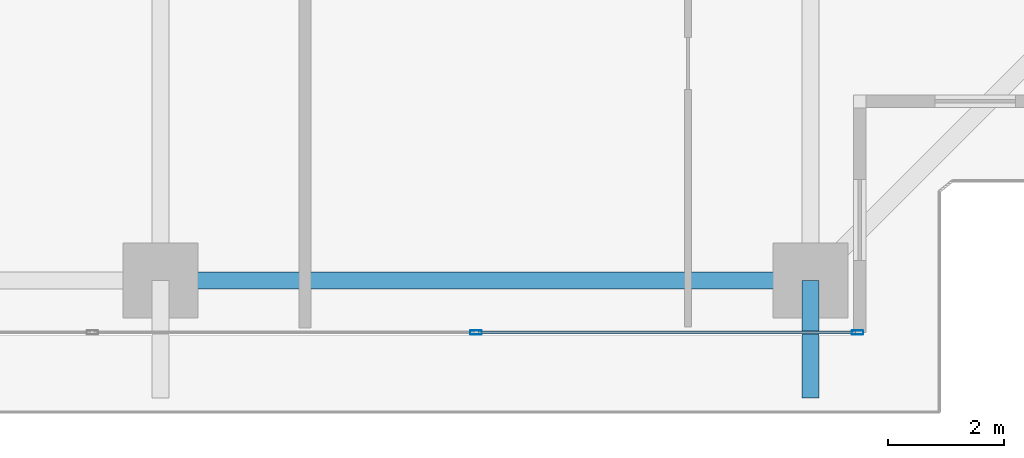
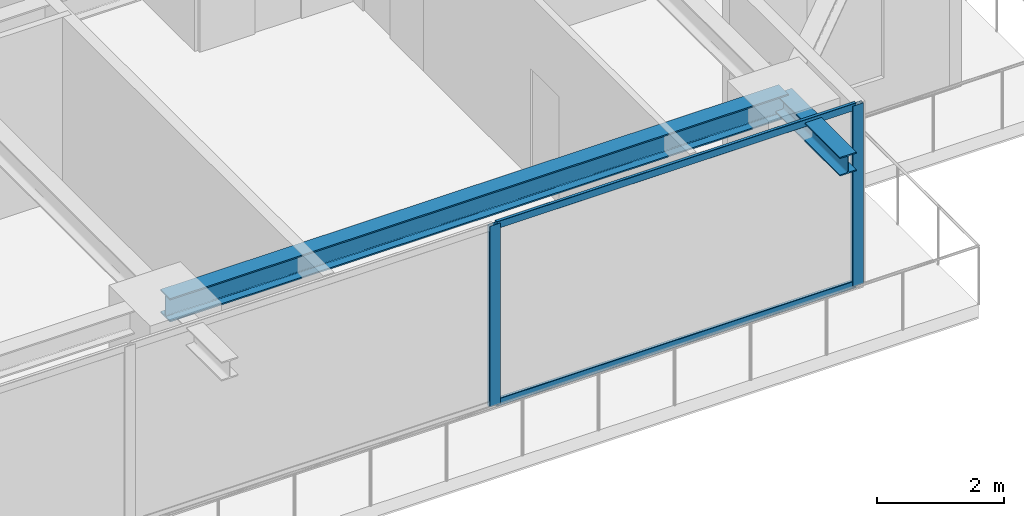
# One storey, part 9 of 33: 4 members, 2 beams, 1 element without a shape of its own.
"""IFC4 building model written with IfcOpenShell, lengths in metres."""

from ifc_helpers import new_model, si_unit, direction, frame, origin, origin_2d, place, context, subcontext, project, spatial, hollow_rectangle, i_section, extrude, source, transform, mapped, material, layer, layer_set, material_profile, profile_set, type_object, element, aggregate, save


model = new_model("IFC4")

# Units and contexts
model_context = context("Model", 3, precision=1e-05, world=origin(), true_north=direction((0.0, 1.0)))
body_context = subcontext(model_context, "Body", "Model", "MODEL_VIEW")
ifc_project = project(units=[si_unit("LENGTHUNIT", "METRE"), si_unit("AREAUNIT", "SQUARE_METRE"), si_unit("VOLUMEUNIT", "CUBIC_METRE"), si_unit("PLANEANGLEUNIT", "RADIAN"), si_unit("MASSUNIT", "GRAM", prefix="KILO")], contexts=[model_context])

# Site, building, storey
site_placement = place(None, origin())
site = spatial("IfcSite", under=ifc_project, at=site_placement, CompositionType="ELEMENT")
building_placement = place(site_placement, origin())
building = spatial("IfcBuilding", under=site, at=building_placement, Name="Serunith Strait Residences", CompositionType="ELEMENT")
storey_placement = place(building_placement, frame((0.0, 0.0, 150.14990234375)))
storey = spatial("IfcBuildingStorey", under=building, at=storey_placement, Name="L37", CompositionType="ELEMENT", Elevation=150.14990234375)

# Beams
ifc_material_1 = material(Name="Steel S355J2", Category="steel")
ifc_material_profile_1 = material_profile(ifc_material_1, i_section(OverallWidth=0.300048828125, OverallDepth=0.449951171875, WebThickness=0.013916015625, FlangeThickness=0.02587890625, FilletRadius=0.027099609375, at=origin_2d()), Name="HEB 450")
ifc_profile_set_1 = profile_set([ifc_material_profile_1], Name="Steel S355J2")
beam_type_1 = type_object("IfcBeamType", Name="BM-HEB450", PredefinedType="BEAM", material=ifc_profile_set_1)
shared_shape_1 = source(origin(), body_context, "Body", "SweptSolid", [
    extrude(i_section(OverallWidth=0.300048828125, OverallDepth=0.449951171875, WebThickness=0.013916015625, FlangeThickness=0.02587890625, FilletRadius=0.027099609375, at=origin_2d()), origin(), (0.0, 0.0, 1.0), 11.25),
])
beam_1_placement = place(storey_placement, frame((36.89990234375, 2.300048828125, 3.26220703125), z_axis=(1.0, 0.0, 0.0), x_axis=(0.0, 1.0, 0.0)))
element("IfcBeam", 1, at=beam_1_placement, inside=storey, type_object=beam_type_1, Name="L37 Perimeter Ring Beam 03", PredefinedType="BEAM", context=body_context, shape_type="MappedRepresentation", body=[
    mapped(shared_shape_1, transform((0.0, 0.0, 0.0), scale=1.0)),
])
ifc_material_profile_2 = material_profile(ifc_material_1, i_section(OverallWidth=0.300048828125, OverallDepth=0.360107421875, WebThickness=0.012451171875, FlangeThickness=0.0224609375, FilletRadius=0.027099609375, at=origin_2d()), Name="HEB 360")
ifc_profile_set_2 = profile_set([ifc_material_profile_2], Name="Steel S355J2")
beam_type_2 = type_object("IfcBeamType", Name="BM-HEB360", PredefinedType="BEAM", material=ifc_profile_set_2)
shared_shape_2 = source(origin(), body_context, "Body", "SweptSolid", [
    extrude(i_section(OverallWidth=0.300048828125, OverallDepth=0.360107421875, WebThickness=0.012451171875, FlangeThickness=0.0224609375, FilletRadius=0.027099609375, at=origin_2d()), origin(), (0.0, 0.0, 1.0), 2.030029296875),
])
beam_2_placement = place(storey_placement, frame((48.14990234375, 2.300048828125, 3.277099609375), z_axis=(0.0, -1.0, 0.0), x_axis=(1.0, 0.0, 0.0)))
element("IfcBeam", 2, at=beam_2_placement, inside=storey, type_object=beam_type_2, Name="L38 Cantilevered Balcony Rib TC-S4", PredefinedType="BEAM", context=body_context, shape_type="MappedRepresentation", body=[
    mapped(shared_shape_2, transform((0.0, 0.0, 0.0), scale=1.0)),
])

# Curtain wall, members
ifc_material_2 = material(Name="Pale-Champagne Anodised Aluminium", Category="aluminium")
ifc_layer = layer(ifc_material_2, 0.199951171875, Name="Pale-Champagne Anodised Aluminium")
ifc_layer_set = layer_set([ifc_layer], Name="Pale-Champagne Anodised Aluminium")
curtain_wall_type = type_object("IfcCurtainWallType", Name="CW-SYS2", PredefinedType="NOTDEFINED", material=ifc_layer_set)
curtain_wall_placement = place(storey_placement, origin())
curtain_wall = element("IfcCurtainWall", 3, at=curtain_wall_placement, inside=storey, type_object=curtain_wall_type, Name="L37 S Unitised Fritted Curtain Wall", PredefinedType="NOTDEFINED")
ifc_material_profile_3 = material_profile(ifc_material_2, hollow_rectangle(XDim=0.070068359375, YDim=0.199951171875, WallThickness=0.00390625, InnerFilletRadius=0.006103515625, OuterFilletRadius=0.010009765625, at=origin_2d()), Name="ALU 200x70x4")
ifc_profile_set_3 = profile_set([ifc_material_profile_3], Name="Pale-Champagne Anodised Aluminium")
member_type_1 = type_object("IfcMemberType", Name="CW-SYS2-MULL", PredefinedType="MULLION", material=ifc_profile_set_3)
shared_shape_3 = source(origin(), body_context, "Body", "SweptSolid", [
    extrude(hollow_rectangle(XDim=0.070068359375, YDim=0.199951171875, WallThickness=0.00390625, InnerFilletRadius=0.006103515625, OuterFilletRadius=0.010009765625, at=origin_2d()), origin(), (0.0, 0.0, 1.0), 3.47509765625),
])
member_1_placement = place(storey_placement, frame((42.360107421875, 1.39990234375, 0.0), z_axis=(0.0, 0.0, 1.0), x_axis=(0.0, 1.0, 0.0)))
member_1 = element("IfcMember", 4, at=member_1_placement, type_object=member_type_1, Name="CW-2 mullion 5", PredefinedType="MULLION", context=body_context, shape_type="MappedRepresentation", body=[
    mapped(shared_shape_3, transform((0.0, 0.0, 0.0), scale=1.0)),
])
member_2_placement = place(storey_placement, frame((48.965087890625, 1.39990234375, 0.0), z_axis=(0.0, 0.0, 1.0), x_axis=(0.0, 1.0, 0.0)))
member_2 = element("IfcMember", 5, at=member_2_placement, type_object=member_type_1, Name="CW-2 mullion 6", PredefinedType="MULLION", context=body_context, shape_type="MappedRepresentation", body=[
    mapped(shared_shape_3, transform((0.0, 0.0, 0.0), scale=1.0)),
])
ifc_material_profile_4 = material_profile(ifc_material_2, hollow_rectangle(XDim=0.06005859375, YDim=0.139892578125, WallThickness=0.00341796875, InnerFilletRadius=0.00537109375, OuterFilletRadius=0.0087890625, at=origin_2d()), Name="ALU 140x60x3.5")
ifc_profile_set_4 = profile_set([ifc_material_profile_4], Name="Pale-Champagne Anodised Aluminium")
member_type_2 = type_object("IfcMemberType", Name="CW-SYS2-TRAN", PredefinedType="USERDEFINED", material=ifc_profile_set_4)
shared_shape_4 = source(origin(), body_context, "Body", "SweptSolid", [
    extrude(hollow_rectangle(XDim=0.06005859375, YDim=0.139892578125, WallThickness=0.00341796875, InnerFilletRadius=0.00537109375, OuterFilletRadius=0.0087890625, at=origin_2d()), origin(), (0.0, 0.0, 1.0), 6.534912109375),
])
member_3_placement = place(storey_placement, frame((42.39501953125, 1.39990234375, 0.030029296875), z_axis=(1.0, 0.0, 0.0), x_axis=(0.0, 1.0, 0.0)))
member_3 = element("IfcMember", 6, at=member_3_placement, type_object=member_type_2, Name="CW-2 transom 5.1", ObjectType="TRANSOM", PredefinedType="USERDEFINED", context=body_context, shape_type="MappedRepresentation", body=[
    mapped(shared_shape_4, transform((0.0, 0.0, 0.0), scale=1.0)),
])
member_4_placement = place(storey_placement, frame((42.39501953125, 1.39990234375, 3.445068359375), z_axis=(1.0, 0.0, 0.0), x_axis=(0.0, 1.0, 0.0)))
member_4 = element("IfcMember", 7, at=member_4_placement, type_object=member_type_2, Name="CW-2 transom 5.2", ObjectType="TRANSOM", PredefinedType="USERDEFINED", context=body_context, shape_type="MappedRepresentation", body=[
    mapped(shared_shape_4, transform((0.0, 0.0, 0.0), scale=1.0)),
])
aggregate(curtain_wall, [member_1, member_2, member_3, member_4])

save(model, "model.ifc")
